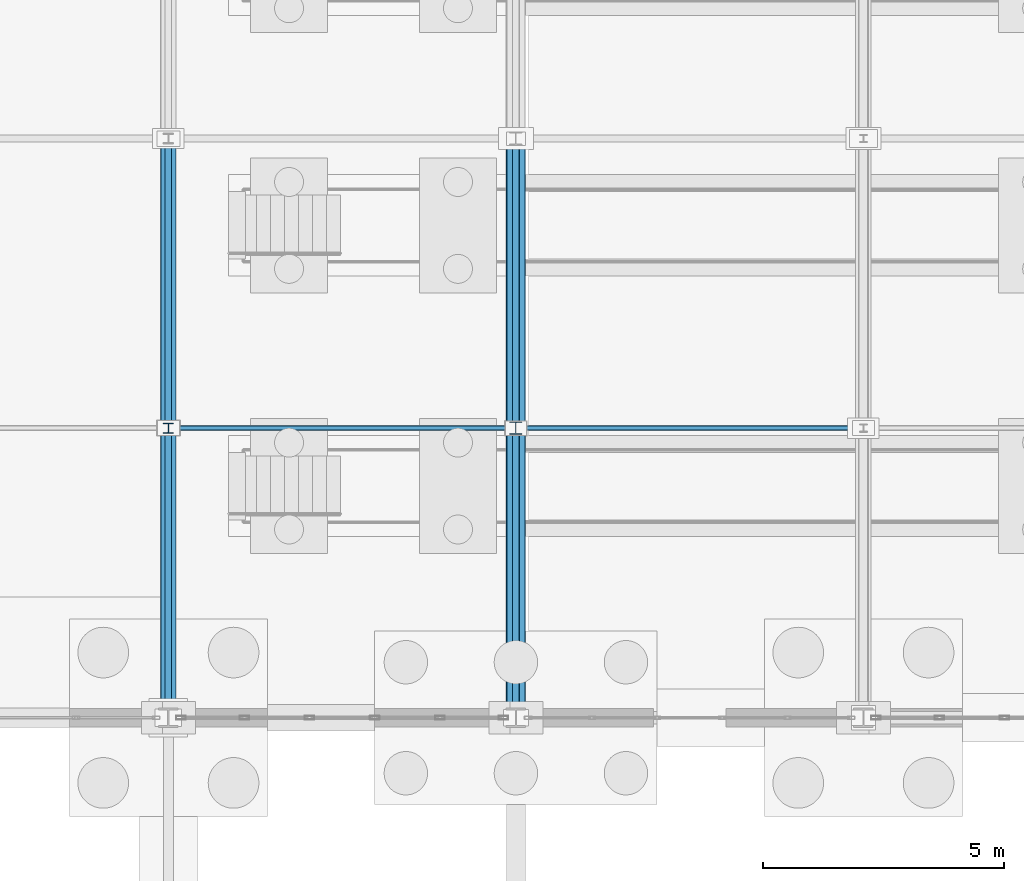
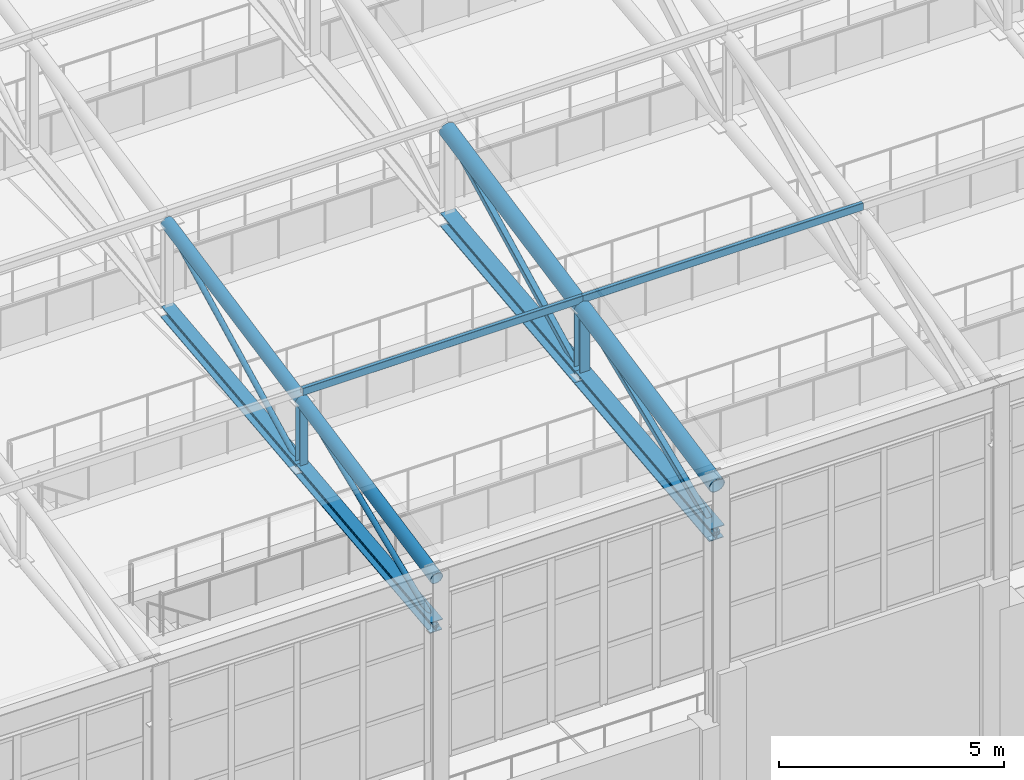
# One storey, part 114 of 293: 16 members.
"""IFC4 building model written with IfcOpenShell, lengths in metres."""

from ifc_helpers import new_model, si_unit, direction, frame, origin, origin_2d, place, context, subcontext, project, spatial, hollow_rectangle, hollow_circle, i_section, extrude, material, material_profile, profile_set, type_object, element, save


model = new_model("IFC4")

# Units and contexts
model_context = context("Model", 3, precision=1e-05, world=origin(), true_north=direction((0.0, 1.0)))
body_context = subcontext(model_context, "Body", "Model", "MODEL_VIEW")
ifc_project = project(units=[si_unit("LENGTHUNIT", "METRE"), si_unit("AREAUNIT", "SQUARE_METRE"), si_unit("VOLUMEUNIT", "CUBIC_METRE"), si_unit("PLANEANGLEUNIT", "RADIAN"), si_unit("MASSUNIT", "GRAM", prefix="KILO")], contexts=[model_context])

# Site, building, storey
site_placement = place(None, origin())
site = spatial("IfcSite", under=ifc_project, at=site_placement, CompositionType="ELEMENT")
building_placement = place(site_placement, origin())
building = spatial("IfcBuilding", under=site, at=building_placement, Name="Kemerveld Promenade Tramway Depot", CompositionType="ELEMENT")
storey_placement = place(building_placement, origin())
storey = spatial("IfcBuildingStorey", under=building, at=storey_placement, Name="L00", CompositionType="ELEMENT", Elevation=0.0)

# Members
ifc_material = material(Name="Steel S355", Category="steel")
ifc_material_profile_1 = material_profile(ifc_material, i_section(OverallWidth=0.25634765625, OverallDepth=0.26025390625, WebThickness=0.01025390625, FlangeThickness=0.017333984375, FilletRadius=0.0126953125, at=origin_2d()), Name="254x254x89 UC")
ifc_profile_set_1 = profile_set([ifc_material_profile_1], Name="Steel S355")
member_type_1 = type_object("IfcMemberType", Name="MB-M04", PredefinedType="POST", material=ifc_profile_set_1)
member_1_placement = place(storey_placement, frame((57.60009765625, 90.0, 10.4599609375), z_axis=(0.0, 0.0, 1.0), x_axis=(1.0, 0.0, 0.0)))
element("IfcMember", 1, at=member_1_placement, inside=storey, type_object=member_type_1, Name="TR-09-VT-01", PredefinedType="POST", context=body_context, shape_type="SweptSolid", body=[
    extrude(i_section(OverallWidth=0.25634765625, OverallDepth=0.26025390625, WebThickness=0.01025390625, FlangeThickness=0.017333984375, FilletRadius=0.0126953125, at=origin_2d()), origin(), (0.0, 0.0, 1.0), 1.840087890625),
])
ifc_material_profile_2 = material_profile(ifc_material, i_section(OverallWidth=0.37255859375, OverallDepth=0.3681640625, WebThickness=0.014404296875, FlangeThickness=0.023681640625, FilletRadius=0.01513671875, at=origin_2d()), Name="356x368x177 UC")
ifc_profile_set_2 = profile_set([ifc_material_profile_2], Name="Steel S355")
member_type_2 = type_object("IfcMemberType", Name="MB-M08", PredefinedType="CHORD", material=ifc_profile_set_2)
for number, where, z_axis, x_axis, name in (
    (2, (57.60009765625, 84.0, 9.800048828125), (0.0, 0.994005938353, 0.109326092585), (-1.0, 0.0, 0.0), "TR-09-BC-01"),
    (3, (57.60009765625, 90.0, 10.4599609375), (0.0, 0.994001542248, 0.109366055104), (-1.0, 0.0, 0.0), "TR-09-BC-02"),
):
    element("IfcMember", number, at=place(storey_placement, frame(where, z_axis=z_axis, x_axis=x_axis)), inside=storey, type_object=member_type_2, Name=name, PredefinedType="CHORD", context=body_context, shape_type="SweptSolid", body=[
        extrude(i_section(OverallWidth=0.37255859375, OverallDepth=0.3681640625, WebThickness=0.014404296875, FlangeThickness=0.023681640625, FilletRadius=0.01513671875, at=origin_2d()), origin(), (0.0, 0.0, 1.0), 6.0361328125),
    ])
ifc_material_profile_3 = material_profile(ifc_material, hollow_rectangle(XDim=0.10009765625, YDim=0.199951171875, WallThickness=0.008056640625, InnerFilletRadius=0.00390625, OuterFilletRadius=0.011962890625, at=origin_2d()), Name="200x100x8.0 RHS")
ifc_profile_set_3 = profile_set([ifc_material_profile_3], Name="Steel S355")
member_type_3 = type_object("IfcMemberType", Name="MB-PR2", PredefinedType="PURLIN", material=ifc_profile_set_3)
member_2_placement = place(storey_placement, frame((50.39990234375, 90.0, 12.544921875), z_axis=(1.0, 0.0, 0.0), x_axis=(0.0, 1.0, 0.0)))
element("IfcMember", 4, at=member_2_placement, inside=storey, type_object=member_type_3, Name="PUR-V1-01-08", PredefinedType="PURLIN", context=body_context, shape_type="SweptSolid", body=[
    extrude(hollow_rectangle(XDim=0.10009765625, YDim=0.199951171875, WallThickness=0.008056640625, InnerFilletRadius=0.00390625, OuterFilletRadius=0.011962890625, at=origin_2d()), origin(), (0.0, 0.0, 1.0), 7.2001953125),
])
member_3_placement = place(storey_placement, frame((57.60009765625, 90.0, 12.544921875), z_axis=(1.0, 0.0, 0.0), x_axis=(0.0, 1.0, 0.0)))
element("IfcMember", 5, at=member_3_placement, inside=storey, type_object=member_type_3, Name="PUR-V1-01-09", PredefinedType="PURLIN", context=body_context, shape_type="SweptSolid", body=[
    extrude(hollow_rectangle(XDim=0.10009765625, YDim=0.199951171875, WallThickness=0.008056640625, InnerFilletRadius=0.00390625, OuterFilletRadius=0.011962890625, at=origin_2d()), origin(), (0.0, 0.0, 1.0), 7.199951171875),
])
ifc_material_profile_4 = material_profile(ifc_material, hollow_circle(Radius=0.06982421875, WallThickness=0.00634765625, at=origin_2d()), Name="139.7x6.3 CHS")
ifc_profile_set_4 = profile_set([ifc_material_profile_4], Name="Steel S355")
member_type_4 = type_object("IfcMemberType", Name="MB-TB3", PredefinedType="BRACE", material=ifc_profile_set_4)
member_4_placement = place(storey_placement, frame((50.39990234375, 84.0, 9.800048828125), z_axis=(0.0, 0.923076923077, 0.384615384615), x_axis=(-1.0, 0.0, 0.0)))
element("IfcMember", 6, at=member_4_placement, inside=storey, type_object=member_type_4, Name="TR-08-DG-01", PredefinedType="BRACE", context=body_context, shape_type="SweptSolid", body=[
    extrude(hollow_circle(Radius=0.06982421875, WallThickness=0.00634765625, at=origin_2d()), origin(), (0.0, 0.0, 1.0), 6.5),
])
member_5_placement = place(storey_placement, frame((50.39990234375, 90.0, 10.4599609375), z_axis=(0.0, 0.892033434612, 0.451969414379), x_axis=(-1.0, 0.0, 0.0)))
element("IfcMember", 7, at=member_5_placement, inside=storey, type_object=member_type_4, Name="TR-08-DG-02", PredefinedType="BRACE", context=body_context, shape_type="SweptSolid", body=[
    extrude(hollow_circle(Radius=0.06982421875, WallThickness=0.00634765625, at=origin_2d()), origin(), (0.0, 0.0, 1.0), 6.726318359375),
])
ifc_material_profile_5 = material_profile(ifc_material, hollow_rectangle(XDim=0.14990234375, YDim=0.14990234375, WallThickness=0.008056640625, InnerFilletRadius=0.00390625, OuterFilletRadius=0.011962890625, at=origin_2d()), Name="150x150x8.0 SHS")
ifc_profile_set_5 = profile_set([ifc_material_profile_5], Name="Steel S355")
member_type_5 = type_object("IfcMemberType", Name="MB-TB4", PredefinedType="BRACE", material=ifc_profile_set_5)
member_6_placement = place(storey_placement, frame((57.60009765625, 84.0, 9.800048828125), z_axis=(0.0, 0.923076923077, 0.384615384615), x_axis=(-1.0, 0.0, 0.0)))
element("IfcMember", 8, at=member_6_placement, inside=storey, type_object=member_type_5, Name="TR-09-DG-01", PredefinedType="BRACE", context=body_context, shape_type="SweptSolid", body=[
    extrude(hollow_rectangle(XDim=0.14990234375, YDim=0.14990234375, WallThickness=0.008056640625, InnerFilletRadius=0.00390625, OuterFilletRadius=0.011962890625, at=origin_2d()), origin(), (0.0, 0.0, 1.0), 6.5),
])
member_7_placement = place(storey_placement, frame((57.60009765625, 90.0, 10.4599609375), z_axis=(0.0, 0.892033434612, 0.451969414379), x_axis=(-1.0, 0.0, 0.0)))
element("IfcMember", 9, at=member_7_placement, inside=storey, type_object=member_type_5, Name="TR-09-DG-02", PredefinedType="BRACE", context=body_context, shape_type="SweptSolid", body=[
    extrude(hollow_rectangle(XDim=0.14990234375, YDim=0.14990234375, WallThickness=0.008056640625, InnerFilletRadius=0.00390625, OuterFilletRadius=0.011962890625, at=origin_2d()), origin(), (0.0, 0.0, 1.0), 6.726318359375),
])
ifc_material_profile_6 = material_profile(ifc_material, hollow_circle(Radius=0.203125, WallThickness=0.01611328125, at=origin_2d()), Name="406.4x16.0 CHS")
ifc_profile_set_6 = profile_set([ifc_material_profile_6], Name="Steel S355")
member_type_6 = type_object("IfcMemberType", Name="MB-TC1", PredefinedType="CHORD", material=ifc_profile_set_6)
for number, where, z_axis, x_axis, name in (
    (10, (57.60009765625, 84.0, 11.10009765625), (0.0, 0.980582210276, 0.196108462057), (-1.0, 0.0, 0.0), "TR-09-TC-01"),
    (11, (57.60009765625, 90.0, 12.300048828125), (0.0, 0.980582210276, 0.196108462057), (-1.0, 0.0, 0.0), "TR-09-TC-02"),
):
    element("IfcMember", number, at=place(storey_placement, frame(where, z_axis=z_axis, x_axis=x_axis)), inside=storey, type_object=member_type_6, Name=name, PredefinedType="CHORD", context=body_context, shape_type="SweptSolid", body=[
        extrude(hollow_circle(Radius=0.203125, WallThickness=0.01611328125, at=origin_2d()), origin(), (0.0, 0.0, 1.0), 6.118896484375),
    ])
ifc_material_profile_7 = material_profile(ifc_material, hollow_circle(Radius=0.161865234375, WallThickness=0.012451171875, at=origin_2d()), Name="323.9x12.5 CHS")
ifc_profile_set_7 = profile_set([ifc_material_profile_7], Name="Steel S355")
member_type_7 = type_object("IfcMemberType", Name="MB-TC2", PredefinedType="CHORD", material=ifc_profile_set_7)
for number, where, z_axis, x_axis, name in (
    (12, (50.39990234375, 84.0, 11.10009765625), (0.0, 0.980582210276, 0.196108462057), (-1.0, 0.0, 0.0), "TR-08-TC-01"),
    (13, (50.39990234375, 90.0, 12.300048828125), (0.0, 0.980582210276, 0.196108462057), (-1.0, 0.0, 0.0), "TR-08-TC-02"),
):
    element("IfcMember", number, at=place(storey_placement, frame(where, z_axis=z_axis, x_axis=x_axis)), inside=storey, type_object=member_type_7, Name=name, PredefinedType="CHORD", context=body_context, shape_type="SweptSolid", body=[
        extrude(hollow_circle(Radius=0.161865234375, WallThickness=0.012451171875, at=origin_2d()), origin(), (0.0, 0.0, 1.0), 6.118896484375),
    ])
ifc_material_profile_8 = material_profile(ifc_material, i_section(OverallWidth=0.307373046875, OverallDepth=0.314453125, WebThickness=0.011962890625, FlangeThickness=0.018798828125, FilletRadius=0.01513671875, at=origin_2d()), Name="305x305x118 UC")
ifc_profile_set_8 = profile_set([ifc_material_profile_8], Name="Steel S355")
member_type_8 = type_object("IfcMemberType", Name="MB-TC4", PredefinedType="CHORD", material=ifc_profile_set_8)
for number, where, z_axis, x_axis, name in (
    (14, (50.39990234375, 84.0, 9.800048828125), (0.0, 0.994005938353, 0.109326092585), (-1.0, 0.0, 0.0), "TR-08-BC-01"),
    (15, (50.39990234375, 90.0, 10.4599609375), (0.0, 0.994001542248, 0.109366055104), (-1.0, 0.0, 0.0), "TR-08-BC-02"),
):
    element("IfcMember", number, at=place(storey_placement, frame(where, z_axis=z_axis, x_axis=x_axis)), inside=storey, type_object=member_type_8, Name=name, PredefinedType="CHORD", context=body_context, shape_type="SweptSolid", body=[
        extrude(i_section(OverallWidth=0.307373046875, OverallDepth=0.314453125, WebThickness=0.011962890625, FlangeThickness=0.018798828125, FilletRadius=0.01513671875, at=origin_2d()), origin(), (0.0, 0.0, 1.0), 6.0361328125),
    ])
ifc_material_profile_9 = material_profile(ifc_material, i_section(OverallWidth=0.205810546875, OverallDepth=0.209716796875, WebThickness=0.009521484375, FlangeThickness=0.01416015625, FilletRadius=0.01025390625, at=origin_2d()), Name="203x203x60 UC")
ifc_profile_set_9 = profile_set([ifc_material_profile_9], Name="Steel S355")
member_type_9 = type_object("IfcMemberType", Name="MB-TP3", PredefinedType="POST", material=ifc_profile_set_9)
member_8_placement = place(storey_placement, frame((50.39990234375, 90.0, 10.4599609375), z_axis=(0.0, 0.0, 1.0), x_axis=(1.0, 0.0, 0.0)))
element("IfcMember", 16, at=member_8_placement, inside=storey, type_object=member_type_9, Name="TR-08-VT-01", PredefinedType="POST", context=body_context, shape_type="SweptSolid", body=[
    extrude(i_section(OverallWidth=0.205810546875, OverallDepth=0.209716796875, WebThickness=0.009521484375, FlangeThickness=0.01416015625, FilletRadius=0.01025390625, at=origin_2d()), origin(), (0.0, 0.0, 1.0), 1.840087890625),
])

save(model, "model.ifc")
